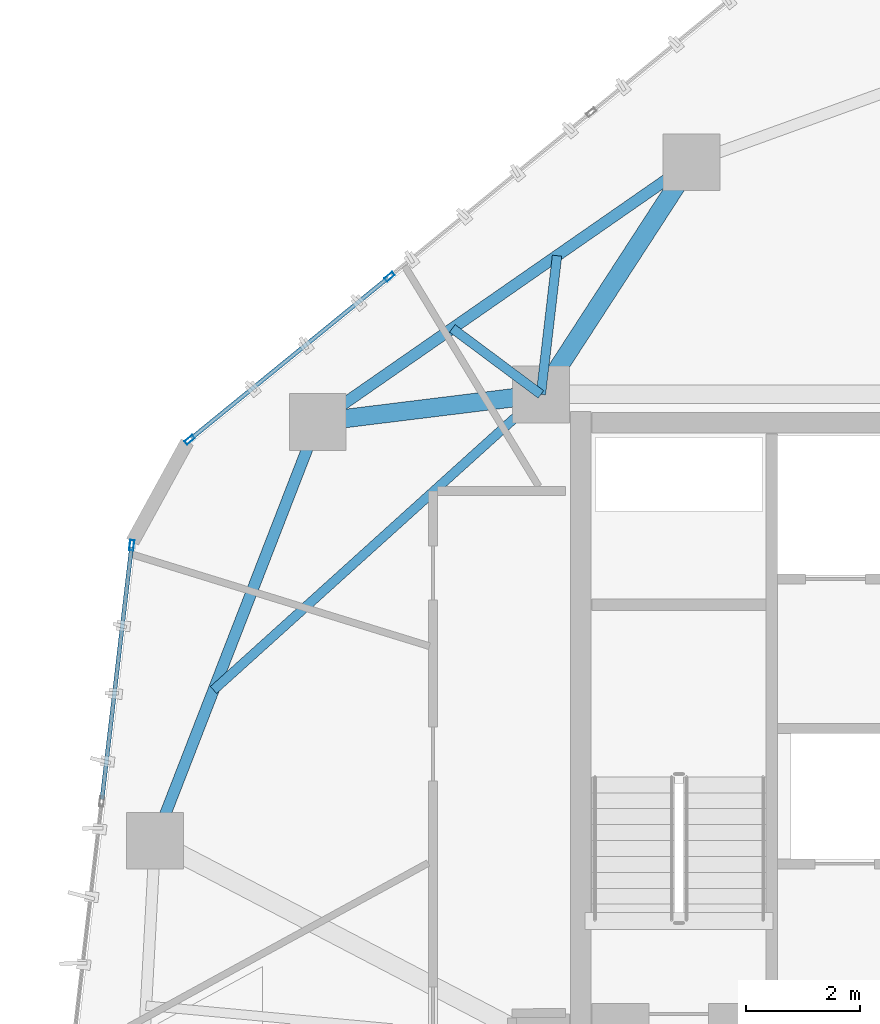
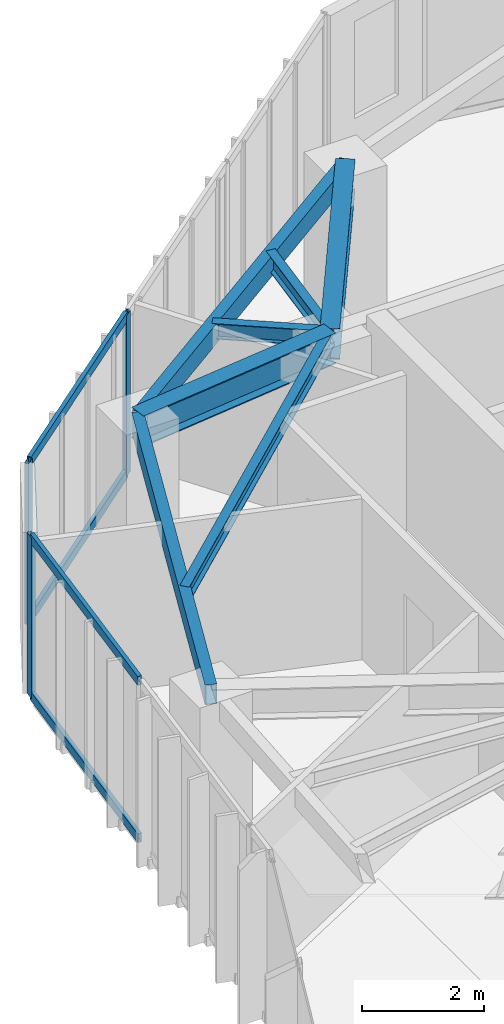
# One storey, part 9 of 22: 7 beams, 7 members, 2 elements without a shape of their own.
"""IFC4 building model written with IfcOpenShell, lengths in metres."""

import ifcopenshell
import ifcopenshell.guid

model = None  # the IFC model being written
_history = None  # IfcOwnerHistory: only IFC2X3 demands one
_inside = {}  # id of a spatial element -> (the spatial element, [elements in it])
_under = {}  # id of a project, library or spatial element -> (it, [spatial elements below it])
_declared = {}  # id of a project -> (the project, [libraries it declares])
_typed = {}  # id of a type object -> (the type object, [elements of that type])
_made_of = {}  # id of a material, layer set ... -> (it, [elements and type objects made of it])


def new_model(schema):
    """Start an empty IFC model of exactly this schema.

    Asked for "IFC4X3", IfcOpenShell would pick the latest addendum, in which some entities
    have other attributes; the version numbers below select the first issue.
    IFC2X3 requires an IfcOwnerHistory on every rooted entity: one is made here for all.
    """
    global model, _history
    if schema == "IFC4X3":
        model = ifcopenshell.file(schema_version=(4, 3, 0, 0))
    else:
        model = ifcopenshell.file(schema=schema)
    _inside.clear()
    _under.clear()
    _declared.clear()
    _typed.clear()
    _made_of.clear()
    _history = None
    if model.schema == "IFC2X3":
        org = make("IfcOrganization", Name="unknown")
        user = make(
            "IfcPersonAndOrganization",
            ThePerson=make("IfcPerson", FamilyName="unknown"),
            TheOrganization=org,
        )
        app = make(
            "IfcApplication",
            ApplicationDeveloper=org,
            Version="unknown",
            ApplicationFullName="unknown",
            ApplicationIdentifier="unknown",
        )
        _history = make(
            "IfcOwnerHistory",
            OwningUser=user,
            OwningApplication=app,
            ChangeAction="ADDED",
            CreationDate=0,
        )
    return model


def make(cls, **values):
    """One entity of the class cls with the attributes given. An attribute that is None is left unset."""
    return model.create_entity(
        cls, **{name: value for name, value in values.items() if value is not None}
    )


def rooted(cls, **values):
    """An entity with a GlobalId (a new one), such as an element, a storey or a relation."""
    return make(cls, GlobalId=ifcopenshell.guid.new(), OwnerHistory=_history, **values)


def si_unit(unit_type, name, prefix=None):
    """IfcSIUnit, for example si_unit("LENGTHUNIT", "METRE", prefix="MILLI")."""
    return make("IfcSIUnit", UnitType=unit_type, Prefix=prefix, Name=name)


def assignment(units):
    """IfcUnitAssignment: the units of a project."""
    return None if units is None else make("IfcUnitAssignment", Units=units)


def point(xyz):
    """IfcCartesianPoint."""
    return None if xyz is None else make("IfcCartesianPoint", Coordinates=xyz)


def direction(xyz):
    """IfcDirection."""
    return None if xyz is None else make("IfcDirection", DirectionRatios=xyz)


def frame(location, z_axis=None, x_axis=None):
    """IfcAxis2Placement3D, a coordinate frame: its origin and axes. An axis left out is left unset."""
    return make(
        "IfcAxis2Placement3D",
        Location=point(location),
        Axis=direction(z_axis),
        RefDirection=direction(x_axis),
    )


def frame_2d(location, x_axis=None):
    """IfcAxis2Placement2D, a coordinate frame in the plane: its origin and x axis."""
    return make(
        "IfcAxis2Placement2D", Location=point(location), RefDirection=direction(x_axis)
    )


def origin():
    """The frame at (0, 0, 0) with its axes left unset."""
    return frame((0.0, 0.0, 0.0))


def origin_2d():
    """The frame at (0, 0) in the plane with its x axis left unset."""
    return frame_2d((0.0, 0.0))


def place(relative_to, where):
    """IfcLocalPlacement: puts the frame where relative to a parent placement (None: the world)."""
    return make(
        "IfcLocalPlacement", PlacementRelTo=relative_to, RelativePlacement=where
    )


def context(
    kind, dimensions, precision=None, world=None, true_north=None, identifier=None
):
    """IfcGeometricRepresentationContext, for example the 3D "Model" context."""
    return make(
        "IfcGeometricRepresentationContext",
        ContextIdentifier=identifier,
        ContextType=kind,
        CoordinateSpaceDimension=dimensions,
        Precision=precision,
        WorldCoordinateSystem=world,
        TrueNorth=true_north,
    )


def subcontext(parent, identifier, kind, view, scale=None):
    """IfcGeometricRepresentationSubContext, for example "Body" below "Model"."""
    return make(
        "IfcGeometricRepresentationSubContext",
        ContextIdentifier=identifier,
        ContextType=kind,
        ParentContext=parent,
        TargetScale=scale,
        TargetView=view,
    )


def project(units=None, contexts=None):
    """IfcProject with its units and contexts."""
    return rooted(
        "IfcProject",
        Name="project",
        RepresentationContexts=contexts,
        UnitsInContext=assignment(units),
    )


def spatial(cls, under=None, at=None, **own):
    """A site, building, storey or space (cls), placed at a placement, below another one or the project."""
    s = rooted(cls, ObjectPlacement=at, **own)
    if under is not None:
        _under.setdefault(under.id(), (under, []))[1].append(s)
    return s


def profile(cls, at=None, kind="AREA", **sizes):
    """A parametric profile (cls). Its sizes go by their IFC names, for example OverallWidth=200.0."""
    return make(cls, ProfileType=kind, Position=at, **sizes)


def hollow_rectangle(**sizes):
    """IfcRectangleHollowProfileDef."""
    return profile("IfcRectangleHollowProfileDef", **sizes)


def i_section(**sizes):
    """IfcIShapeProfileDef."""
    return profile("IfcIShapeProfileDef", **sizes)


def extrude(swept, where, along, depth):
    """IfcExtrudedAreaSolid: the profile swept, set in the frame where, extruded along a direction by depth."""
    return make(
        "IfcExtrudedAreaSolid",
        SweptArea=swept,
        Position=where,
        ExtrudedDirection=direction(along),
        Depth=depth,
    )


def shape(context_of_items, identifier, shape_type, items):
    """IfcShapeRepresentation: the items that make up one representation, for example the "Body"."""
    return make(
        "IfcShapeRepresentation",
        ContextOfItems=context_of_items,
        RepresentationIdentifier=identifier,
        RepresentationType=shape_type,
        Items=items,
    )


def source(mapping_origin, context_of_items, identifier, shape_type, items):
    """IfcRepresentationMap: a shape defined once, which mapped items show again and again."""
    return make(
        "IfcRepresentationMap",
        MappingOrigin=mapping_origin,
        MappedRepresentation=shape(context_of_items, identifier, shape_type, items),
    )


def transform(
    local_origin,
    x_axis=None,
    y_axis=None,
    z_axis=None,
    scale=None,
    scale2=None,
    scale3=None,
    uniform=True,
):
    """IfcCartesianTransformationOperator3D, or its non-uniform kind. x_axis, y_axis, z_axis: its Axis1, 2, 3."""
    if uniform:
        return make(
            "IfcCartesianTransformationOperator3D",
            Axis1=direction(x_axis),
            Axis2=direction(y_axis),
            LocalOrigin=point(local_origin),
            Scale=scale,
            Axis3=direction(z_axis),
        )
    return make(
        "IfcCartesianTransformationOperator3DnonUniform",
        Axis1=direction(x_axis),
        Axis2=direction(y_axis),
        LocalOrigin=point(local_origin),
        Scale=scale,
        Axis3=direction(z_axis),
        Scale2=scale2,
        Scale3=scale3,
    )


def mapped(mapping_source, mapping_target):
    """IfcMappedItem: shows the shape of a source again, moved by a transform."""
    return make(
        "IfcMappedItem", MappingSource=mapping_source, MappingTarget=mapping_target
    )


def material(Name=None, Category=None):
    """IfcMaterial."""
    return make("IfcMaterial", Name=Name, Category=Category)


def layer(
    of_material, thickness, ventilated=None, Name=None, Category=None, Priority=None
):
    """IfcMaterialLayer: one layer of a wall or slab, of a material (None: an air gap)."""
    return make(
        "IfcMaterialLayer",
        Material=of_material,
        LayerThickness=thickness,
        IsVentilated=ventilated,
        Name=Name,
        Category=Category,
        Priority=Priority,
    )


def layer_set(layers, Name=None):
    """IfcMaterialLayerSet."""
    return make("IfcMaterialLayerSet", MaterialLayers=layers, LayerSetName=Name)


def material_profile(
    of_material, cross_section, Name=None, Category=None, Priority=None
):
    """IfcMaterialProfile: a cross section and its material."""
    return make(
        "IfcMaterialProfile",
        Name=Name,
        Material=of_material,
        Profile=cross_section,
        Priority=Priority,
        Category=Category,
    )


def profile_set(profiles, Name=None, composite=None):
    """IfcMaterialProfileSet."""
    return make(
        "IfcMaterialProfileSet",
        Name=Name,
        MaterialProfiles=profiles,
        CompositeProfile=composite,
    )


def made_of(thing, what):
    """Note that an element or type object is made of a material, layer set ...; save() writes the relation."""
    if what is not None:
        _made_of.setdefault(what.id(), (what, []))[1].append(thing)
    return thing


def type_object(cls, material=None, **own):
    """A type object (cls), such as IfcWallType, which elements share."""
    return made_of(rooted(cls, **own), material)


def type_shapes(of_type, sources):
    """Give a type object the sources (RepresentationMaps) that its elements show as mapped items."""
    of_type.RepresentationMaps = sources


def element(
    cls,
    number,
    at=None,
    inside=None,
    cuts=None,
    type_object=None,
    material=None,
    context=None,
    identifier="Body",
    shape_type=None,
    held_by="IfcProductDefinitionShape",
    body=None,
    shapes=None,
    **own,
):
    """One element of the class cls, such as IfcWall. Its Tag is "e" and its number.

    at: its placement. inside: the storey or other place that contains it. cuts: it is an
    opening in that element (IfcRelVoidsElement). A single representation is given by context,
    identifier, shape_type and body (its items); several are given by shapes. held_by: the class
    of the entity that holds the representations. save() writes the other relations.
    """
    e = rooted(cls, Tag="e%d" % number, ObjectPlacement=at, **own)
    if body is not None:
        shapes = [shape(context, identifier, shape_type, body)]
    if shapes is not None:
        e.Representation = make(held_by, Representations=shapes)
    if inside is not None:
        _inside.setdefault(inside.id(), (inside, []))[1].append(e)
    if cuts is not None:
        rooted(
            "IfcRelVoidsElement", RelatingBuildingElement=cuts, RelatedOpeningElement=e
        )
    if type_object is not None:
        _typed.setdefault(type_object.id(), (type_object, []))[1].append(e)
    return made_of(e, material)


def aggregate(whole, parts):
    """IfcRelAggregates: a whole, such as a stair, and the parts it consists of."""
    return rooted("IfcRelAggregates", RelatingObject=whole, RelatedObjects=parts)


def save(model, path):
    """Write the relations noted so far, then the file.

    IfcRelAggregates (storeys below a building ...), IfcRelContainedInSpatialStructure (elements
    in a storey), IfcRelDefinesByType, IfcRelAssociatesMaterial and IfcRelDeclares: one each for
    every whole, place, type object, material and project.
    """
    for whole, parts in _under.values():
        aggregate(whole, parts)
    for where, things in _inside.values():
        rooted(
            "IfcRelContainedInSpatialStructure",
            RelatedElements=things,
            RelatingStructure=where,
        )
    for kind, things in _typed.values():
        rooted("IfcRelDefinesByType", RelatedObjects=things, RelatingType=kind)
    for what, things in _made_of.values():
        rooted("IfcRelAssociatesMaterial", RelatedObjects=things, RelatingMaterial=what)
    for by, libraries in _declared.values():
        rooted("IfcRelDeclares", RelatingContext=by, RelatedDefinitions=libraries)
    model.write(path)


model = new_model("IFC4")

# Units and contexts
model_context = context("Model", 3, precision=1e-05, world=origin(), true_north=direction((0.0, 1.0)))
body_context = subcontext(model_context, "Body", "Model", "MODEL_VIEW")
ifc_project = project(units=[si_unit("LENGTHUNIT", "METRE"), si_unit("AREAUNIT", "SQUARE_METRE"), si_unit("VOLUMEUNIT", "CUBIC_METRE"), si_unit("PLANEANGLEUNIT", "RADIAN"), si_unit("MASSUNIT", "GRAM", prefix="KILO")], contexts=[model_context])

# Site, building, storey
site_placement = place(None, origin())
site = spatial("IfcSite", under=ifc_project, at=site_placement, CompositionType="ELEMENT")
building_placement = place(site_placement, origin())
building = spatial("IfcBuilding", under=site, at=building_placement, Name="Talar Marvaseh", CompositionType="ELEMENT")
storey_placement = place(building_placement, frame((0.0, 0.0, 229.199951171875)))
storey = spatial("IfcBuildingStorey", under=building, at=storey_placement, Name="L60", CompositionType="ELEMENT", Elevation=229.199951171875)

# Beams
ifc_material_1 = material(Name="Steel S355", Category="steel")
ifc_material_profile_1 = material_profile(ifc_material_1, hollow_rectangle(XDim=0.199951171875, YDim=0.39990234375, WallThickness=0.013916015625, at=origin_2d()), Name="RHS400x200x14")
ifc_profile_set_1 = profile_set([ifc_material_profile_1], Name="Steel S355")
beam_type_1 = type_object("IfcBeamType", Name="Zone 3 Perimeter Spandrel Beam RHS400x200x14", PredefinedType="SPANDREL", material=ifc_profile_set_1)
beam_1_placement = place(storey_placement, frame((11.908935546875, 29.044921875, 3.030029296875), z_axis=(0.362169134611, 0.932112395548, 0.0), x_axis=(-0.932112395548, 0.362169134611, 0.0)))
element("IfcBeam", 1, at=beam_1_placement, inside=storey, type_object=beam_type_1, Name="L60 Zone 3 Perimeter Spandrel Beam RHS400x200x14", PredefinedType="SPANDREL", context=body_context, shape_type="SweptSolid", body=[
    extrude(hollow_rectangle(XDim=0.199951171875, YDim=0.39990234375, WallThickness=0.013916015625, at=origin_2d()), origin(), (0.0, 0.0, 1.0), 7.907958984375),
])
beam_2_placement = place(storey_placement, frame((14.77294921875, 36.416015625, 3.030029296875), z_axis=(0.821296978901, 0.570500896098, 0.0), x_axis=(-0.570500896098, 0.821296978901, 0.0)))
element("IfcBeam", 2, at=beam_2_placement, inside=storey, type_object=beam_type_1, Name="L60 Zone 3 Perimeter Spandrel Beam RHS400x200x14", PredefinedType="SPANDREL", context=body_context, shape_type="SweptSolid", body=[
    extrude(hollow_rectangle(XDim=0.199951171875, YDim=0.39990234375, WallThickness=0.013916015625, at=origin_2d()), origin(), (0.0, 0.0, 1.0), 8.0107421875),
])
ifc_material_profile_2 = material_profile(ifc_material_1, i_section(OverallWidth=0.324951171875, OverallDepth=0.615966796875, WebThickness=0.013916015625, FlangeThickness=0.021484375, at=origin_2d()), Name="W610x174")
ifc_profile_set_2 = profile_set([ifc_material_profile_2], Name="Steel S355")
beam_type_2 = type_object("IfcBeamType", Name="Zone 3 Radial Floor Girder W610x174", PredefinedType="BEAM", material=ifc_profile_set_2)
beam_3_placement = place(storey_placement, frame((14.77294921875, 36.416015625, 2.922119140625), z_axis=(0.99249373738, 0.122295467049, 0.0), x_axis=(-0.122295467049, 0.99249373738, 0.0)))
element("IfcBeam", 3, at=beam_3_placement, inside=storey, type_object=beam_type_2, Name="L60 Zone 3 Radial Floor Girder W610x174", PredefinedType="BEAM", context=body_context, shape_type="SweptSolid", body=[
    extrude(i_section(OverallWidth=0.324951171875, OverallDepth=0.615966796875, WebThickness=0.013916015625, FlangeThickness=0.021484375, at=origin_2d()), origin(), (0.0, 0.0, 1.0), 3.956787109375),
])
beam_4_placement = place(storey_placement, frame((21.35205078125, 40.986083984375, 2.922119140625), z_axis=(-0.544422757063, -0.838810980849, 0.0), x_axis=(0.838810980849, -0.544422757063, 0.0)))
element("IfcBeam", 4, at=beam_4_placement, inside=storey, type_object=beam_type_2, Name="L60 Zone 3 Radial Floor Girder W610x174", PredefinedType="BEAM", context=body_context, shape_type="SweptSolid", body=[
    extrude(i_section(OverallWidth=0.324951171875, OverallDepth=0.615966796875, WebThickness=0.013916015625, FlangeThickness=0.021484375, at=origin_2d()), origin(), (0.0, 0.0, 1.0), 4.871337890625),
])
ifc_material_profile_3 = material_profile(ifc_material_1, i_section(OverallWidth=0.166015625, OverallDepth=0.31298828125, WebThickness=0.006591796875, FlangeThickness=0.01123046875, at=origin_2d()), Name="W310x45")
ifc_profile_set_3 = profile_set([ifc_material_profile_3], Name="Steel S355")
beam_type_3 = type_object("IfcBeamType", Name="Zone 3 Secondary Floor Joist W310x45", PredefinedType="JOIST", material=ifc_profile_set_3)
beam_5_placement = place(storey_placement, frame((12.93994140625, 31.698486328125, 3.073486328125), z_axis=(0.74217784775, 0.670202985899, 0.0), x_axis=(-0.670202985899, 0.74217784775, 0.0)))
element("IfcBeam", 5, at=beam_5_placement, inside=storey, type_object=beam_type_3, Name="L60 Zone 3 Secondary Floor Joist W310x45", PredefinedType="JOIST", context=body_context, shape_type="SweptSolid", body=[
    extrude(i_section(OverallWidth=0.166015625, OverallDepth=0.31298828125, WebThickness=0.006591796875, FlangeThickness=0.01123046875, at=origin_2d()), origin(), (0.0, 0.0, 1.0), 7.760986328125),
])
beam_6_placement = place(storey_placement, frame((17.141357421875, 38.061279296875, 3.073486328125), z_axis=(0.801865127607, -0.597505077072, 0.0), x_axis=(0.597505077072, 0.801865127607, 0.0)))
element("IfcBeam", 6, at=beam_6_placement, inside=storey, type_object=beam_type_3, Name="L60 Zone 3 Secondary Floor Joist W310x45", PredefinedType="JOIST", context=body_context, shape_type="SweptSolid", body=[
    extrude(i_section(OverallWidth=0.166015625, OverallDepth=0.31298828125, WebThickness=0.006591796875, FlangeThickness=0.01123046875, at=origin_2d()), origin(), (0.0, 0.0, 1.0), 1.943603515625),
])
beam_7_placement = place(storey_placement, frame((18.983642578125, 39.3408203125, 3.073486328125), z_axis=(-0.115446145895, -0.993313740667, 0.0), x_axis=(0.993313740667, -0.115446145895, 0.0)))
element("IfcBeam", 7, at=beam_7_placement, inside=storey, type_object=beam_type_3, Name="L60 Zone 3 Secondary Floor Joist W310x45", PredefinedType="JOIST", context=body_context, shape_type="SweptSolid", body=[
    extrude(i_section(OverallWidth=0.166015625, OverallDepth=0.31298828125, WebThickness=0.006591796875, FlangeThickness=0.01123046875, at=origin_2d()), origin(), (0.0, 0.0, 1.0), 2.457275390625),
])

# Curtain wall, member
ifc_material_2 = material(Name="Architectural Aluminium", Category="aluminium")
ifc_layer = layer(ifc_material_2, 0.18994140625)
ifc_layer_set = layer_set([ifc_layer], Name="Architectural Aluminium")
curtain_wall_type = type_object("IfcCurtainWallType", Name="Unitised Solar Atelier Curtain Wall Z3", PredefinedType="NOTDEFINED", material=ifc_layer_set)
curtain_wall_1_placement = place(storey_placement, origin())
curtain_wall_1 = element("IfcCurtainWall", 8, at=curtain_wall_1_placement, inside=storey, type_object=curtain_wall_type, Name="L60 Unitised Solar Atelier Curtain Wall Z3", PredefinedType="NOTDEFINED")
ifc_material_profile_4 = material_profile(ifc_material_2, hollow_rectangle(XDim=0.074951171875, YDim=0.179931640625, WallThickness=0.0048828125, at=origin_2d()), Name="RHS180x75x5")
ifc_profile_set_4 = profile_set([ifc_material_profile_4], Name="Architectural Aluminium")
member_type_1 = type_object("IfcMemberType", Name="Unitised Curtain Wall Standard Mullion RHS180x75x5", PredefinedType="MULLION", material=ifc_profile_set_4)
shared_shape_1 = source(origin(), body_context, "Body", "SweptSolid", [
    extrude(hollow_rectangle(XDim=0.074951171875, YDim=0.179931640625, WallThickness=0.0048828125, at=origin_2d()), origin(), (0.0, 0.0, 1.0), 3.22998046875),
])
type_shapes(member_type_1, [shared_shape_1])
member_1_placement = place(storey_placement, frame((11.501220703125, 34.24658203125, 0.0), z_axis=(0.0, 0.0, 1.0), x_axis=(-0.993206413634, 0.116365888114, 0.0)))
member_1 = element("IfcMember", 9, at=member_1_placement, type_object=member_type_1, Name="CW-Z3 mullion 4", PredefinedType="MULLION", context=body_context, shape_type="MappedRepresentation", body=[
    mapped(shared_shape_1, transform((0.0, 0.0, 0.0), x_axis=(1.0, 0.0, 0.0), y_axis=(0.0, 1.0, 0.0), z_axis=(0.0, 0.0, 1.0), scale=1.0)),
])

# Curtain wall, members
curtain_wall_2_placement = place(storey_placement, origin())
curtain_wall_2 = element("IfcCurtainWall", 10, at=curtain_wall_2_placement, inside=storey, type_object=curtain_wall_type, Name="L60 Unitised Solar Atelier Curtain Wall Z3", PredefinedType="NOTDEFINED")
member_2_placement = place(storey_placement, frame((12.519775390625, 36.103271484375, 0.0), z_axis=(0.0, 0.0, 1.0), x_axis=(-0.63178365744, 0.775144767248, 0.0)))
member_2 = element("IfcMember", 11, at=member_2_placement, type_object=member_type_1, Name="CW-Z3 mullion 1", PredefinedType="MULLION", context=body_context, shape_type="MappedRepresentation", body=[
    mapped(shared_shape_1, transform((0.0, 0.0, 0.0), x_axis=(1.0, 0.0, 0.0), y_axis=(0.0, 1.0, 0.0), z_axis=(0.0, 0.0, 1.0), scale=1.0)),
])
member_3_placement = place(storey_placement, frame((16.03857421875, 38.971435546875, 0.0), z_axis=(0.0, 0.0, 1.0), x_axis=(-0.63178365744, 0.775144767248, 0.0)))
member_3 = element("IfcMember", 12, at=member_3_placement, type_object=member_type_1, Name="CW-Z3 mullion 2", PredefinedType="MULLION", context=body_context, shape_type="MappedRepresentation", body=[
    mapped(shared_shape_1, transform((0.0, 0.0, 0.0), x_axis=(1.0, 0.0, 0.0), y_axis=(0.0, 1.0, 0.0), z_axis=(0.0, 0.0, 1.0), scale=1.0)),
])
ifc_material_profile_5 = material_profile(ifc_material_2, hollow_rectangle(XDim=0.074951171875, YDim=0.179931640625, WallThickness=0.0048828125, at=origin_2d()), Name="RHS180x75x5")
ifc_profile_set_5 = profile_set([ifc_material_profile_5], Name="Architectural Aluminium")
member_type_2 = type_object("IfcMemberType", Name="Unitised Curtain Wall Transom RHS180x75x5", PredefinedType="USERDEFINED", material=ifc_profile_set_5)
shared_shape_2 = source(origin(), body_context, "Body", "SweptSolid", [
    extrude(hollow_rectangle(XDim=0.074951171875, YDim=0.179931640625, WallThickness=0.0048828125, at=origin_2d()), origin(), (0.0, 0.0, 1.0), 4.464599609375),
])
member_4_placement = place(storey_placement, frame((12.548828125, 36.126953125, 0.03759765625), z_axis=(0.775127862918, 0.631804397048, 0.0), x_axis=(-0.631804397048, 0.775127862918, 0.0)))
member_4 = element("IfcMember", 13, at=member_4_placement, type_object=member_type_2, Name="CW-Z3 transom 1.1", ObjectType="TRANSOM", PredefinedType="USERDEFINED", context=body_context, shape_type="MappedRepresentation", body=[
    mapped(shared_shape_2, transform((0.0, 0.0, 0.0), x_axis=(1.0, 0.0, 0.0), y_axis=(0.0, 1.0, 0.0), z_axis=(0.0, 0.0, 1.0), scale=1.0)),
])
member_5_placement = place(storey_placement, frame((12.548828125, 36.126953125, 3.192626953125), z_axis=(0.775127862918, 0.631804397048, 0.0), x_axis=(-0.631804397048, 0.775127862918, 0.0)))
member_5 = element("IfcMember", 14, at=member_5_placement, type_object=member_type_2, Name="CW-Z3 transom 1.2", ObjectType="TRANSOM", PredefinedType="USERDEFINED", context=body_context, shape_type="MappedRepresentation", body=[
    mapped(shared_shape_2, transform((0.0, 0.0, 0.0), x_axis=(1.0, 0.0, 0.0), y_axis=(0.0, 1.0, 0.0), z_axis=(0.0, 0.0, 1.0), scale=1.0)),
])
aggregate(curtain_wall_2, [member_2, member_3, member_4, member_5])

# Member
shared_shape_3 = source(origin(), body_context, "Body", "SweptSolid", [
    extrude(hollow_rectangle(XDim=0.074951171875, YDim=0.179931640625, WallThickness=0.0048828125, at=origin_2d()), origin(), (0.0, 0.0, 1.0), 4.46484375),
])
type_shapes(member_type_2, [shared_shape_2, shared_shape_3])
member_6_placement = place(storey_placement, frame((10.977294921875, 29.77490234375, 0.03759765625), z_axis=(0.116359004861, 0.993207220064, 0.0), x_axis=(-0.993207220064, 0.116359004861, 0.0)))
member_6 = element("IfcMember", 15, at=member_6_placement, type_object=member_type_2, Name="CW-Z3 transom 3.1", ObjectType="TRANSOM", PredefinedType="USERDEFINED", context=body_context, shape_type="MappedRepresentation", body=[
    mapped(shared_shape_3, transform((0.0, 0.0, 0.0), x_axis=(1.0, 0.0, 0.0), y_axis=(0.0, 1.0, 0.0), z_axis=(0.0, 0.0, 1.0), scale=1.0)),
])

member_7_placement = place(storey_placement, frame((10.977294921875, 29.77490234375, 3.192626953125), z_axis=(0.116359004861, 0.993207220064, 0.0), x_axis=(-0.993207220064, 0.116359004861, 0.0)))
member_7 = element("IfcMember", 16, at=member_7_placement, type_object=member_type_2, Name="CW-Z3 transom 3.2", ObjectType="TRANSOM", PredefinedType="USERDEFINED", context=body_context, shape_type="MappedRepresentation", body=[
    mapped(shared_shape_3, transform((0.0, 0.0, 0.0), x_axis=(1.0, 0.0, 0.0), y_axis=(0.0, 1.0, 0.0), z_axis=(0.0, 0.0, 1.0), scale=1.0)),
])

aggregate(curtain_wall_1, [member_1, member_6, member_7])

save(model, "model.ifc")
